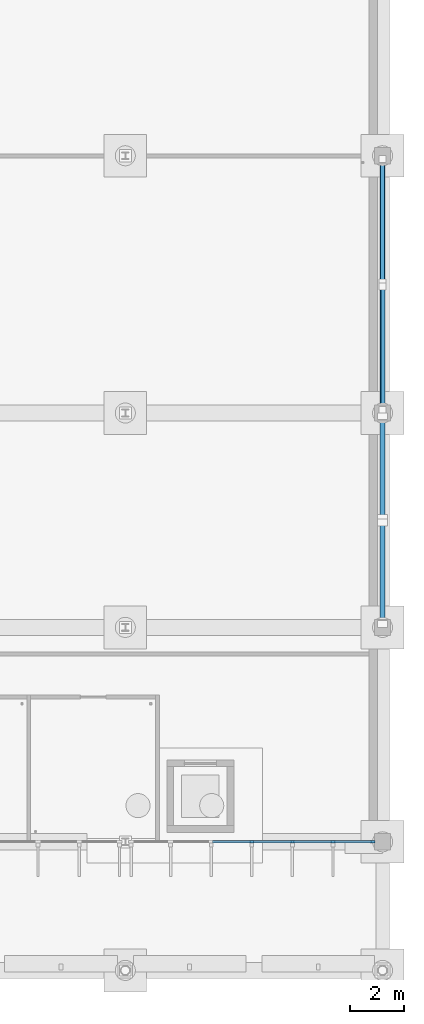
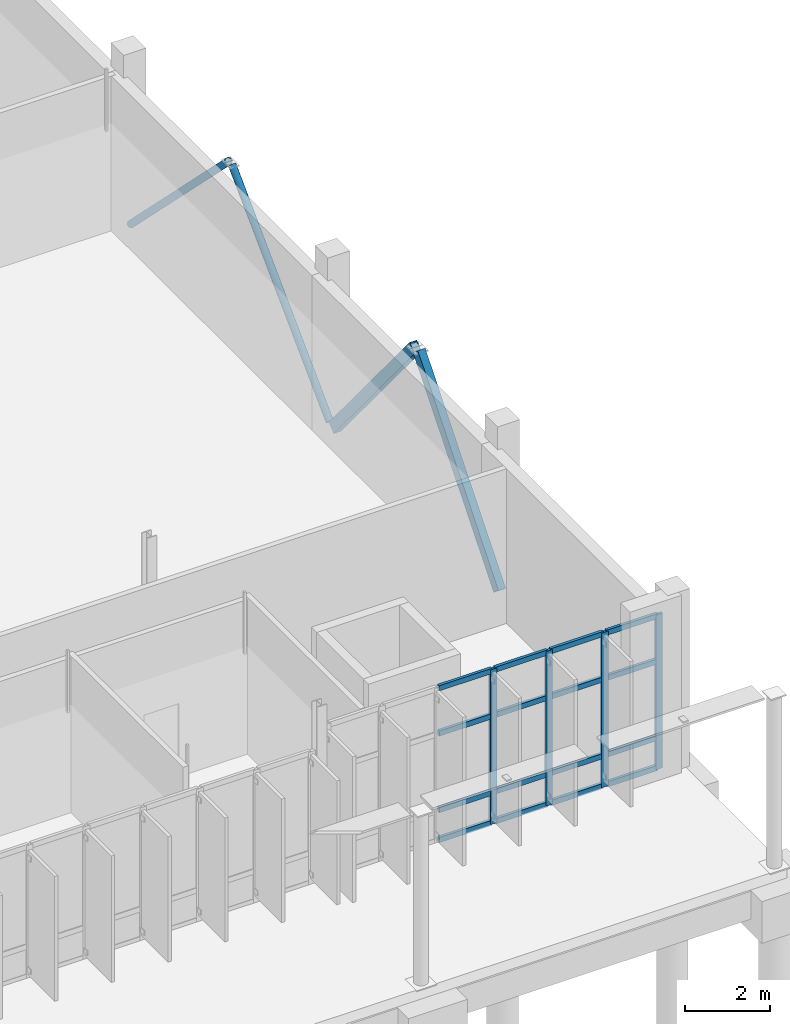
# One storey, part 38 of 111: 24 members, 1 element without a shape of its own.
"""IFC4 building model written with IfcOpenShell, lengths in metres."""

from ifc_helpers import new_model, si_unit, direction, frame, origin, origin_2d, place, context, subcontext, project, spatial, rectangle, hollow_rectangle, hollow_circle, extrude, material, material_profile, profile_set, type_object, element, aggregate, save


model = new_model("IFC4")

# Units and contexts
model_context = context("Model", 3, precision=1e-05, world=origin(), true_north=direction((0.0, 1.0)))
body_context = subcontext(model_context, "Body", "Model", "MODEL_VIEW")
ifc_project = project(units=[si_unit("LENGTHUNIT", "METRE"), si_unit("AREAUNIT", "SQUARE_METRE"), si_unit("VOLUMEUNIT", "CUBIC_METRE"), si_unit("PLANEANGLEUNIT", "RADIAN"), si_unit("MASSUNIT", "GRAM", prefix="KILO")], contexts=[model_context])

# Site, building, storey
site_placement = place(None, origin())
site = spatial("IfcSite", under=ifc_project, at=site_placement, CompositionType="ELEMENT")
building_placement = place(site_placement, origin())
building = spatial("IfcBuilding", under=site, at=building_placement, Name="Dunescarp Central Library", CompositionType="ELEMENT")
storey_placement = place(building_placement, origin())
storey = spatial("IfcBuildingStorey", under=building, at=storey_placement, Name="L00", CompositionType="ELEMENT", Elevation=0.0)

# Curtain wall, members
ifc_material_1 = material(Name="Marine-grade anodised aluminium 6063-T6", Category="aluminium")
curtain_wall_type = type_object("IfcCurtainWallType", Name="ARC-CW-STICK", PredefinedType="NOTDEFINED", material=ifc_material_1)
curtain_wall_placement = place(storey_placement, origin())
curtain_wall = element("IfcCurtainWall", 1, at=curtain_wall_placement, inside=storey, type_object=curtain_wall_type, Name="L00 curtain wall CW-V5-148", PredefinedType="NOTDEFINED")
ifc_material_profile_1 = material_profile(ifc_material_1, rectangle(XDim=0.080078125, YDim=0.179931640625, at=origin_2d()), Name="AL 80x180")
ifc_profile_set_1 = profile_set([ifc_material_profile_1], Name="Marine-grade anodised aluminium 6063-T6")
member_type_1 = type_object("IfcMemberType", Name="ARC-CWM-180", PredefinedType="MULLION", material=ifc_profile_set_1)
member_1_placement = place(storey_placement, frame((167.625, 4.800048828125, 0.0), z_axis=(0.0, 0.0, 1.0), x_axis=(0.0, -1.0, 0.0)))
member_1 = element("IfcMember", 2, at=member_1_placement, type_object=member_type_1, Name="CW-V5-148 mullion 1", PredefinedType="MULLION", context=body_context, shape_type="SweptSolid", body=[
    extrude(rectangle(XDim=0.080078125, YDim=0.179931640625, at=origin_2d()), origin(), (0.0, 0.0, 1.0), 4.44189453125),
])
member_2_placement = place(storey_placement, frame((166.14990234375, 4.800048828125, 0.0), z_axis=(0.0, 0.0, 1.0), x_axis=(0.0, -1.0, 0.0)))
member_2 = element("IfcMember", 3, at=member_2_placement, type_object=member_type_1, Name="CW-V5-148 mullion 2", PredefinedType="MULLION", context=body_context, shape_type="SweptSolid", body=[
    extrude(rectangle(XDim=0.080078125, YDim=0.179931640625, at=origin_2d()), origin(), (0.0, 0.0, 1.0), 4.44189453125),
])
member_3_placement = place(storey_placement, frame((164.635009765625, 4.800048828125, 0.0), z_axis=(0.0, 0.0, 1.0), x_axis=(0.0, -1.0, 0.0)))
member_3 = element("IfcMember", 4, at=member_3_placement, type_object=member_type_1, Name="CW-V5-148 mullion 3", PredefinedType="MULLION", context=body_context, shape_type="SweptSolid", body=[
    extrude(rectangle(XDim=0.080078125, YDim=0.179931640625, at=origin_2d()), origin(), (0.0, 0.0, 1.0), 4.44189453125),
])
member_4_placement = place(storey_placement, frame((163.1201171875, 4.800048828125, 0.0), z_axis=(0.0, 0.0, 1.0), x_axis=(0.0, -1.0, 0.0)))
member_4 = element("IfcMember", 5, at=member_4_placement, type_object=member_type_1, Name="CW-V5-148 mullion 4", PredefinedType="MULLION", context=body_context, shape_type="SweptSolid", body=[
    extrude(rectangle(XDim=0.080078125, YDim=0.179931640625, at=origin_2d()), origin(), (0.0, 0.0, 1.0), 4.44189453125),
])
ifc_material_profile_2 = material_profile(ifc_material_1, rectangle(XDim=0.080078125, YDim=0.14990234375, at=origin_2d()), Name="AL 80x150")
ifc_profile_set_2 = profile_set([ifc_material_profile_2], Name="Marine-grade anodised aluminium 6063-T6")
member_type_2 = type_object("IfcMemberType", Name="ARC-CWT-150", PredefinedType="USERDEFINED", material=ifc_profile_set_2)
member_5_placement = place(storey_placement, frame((167.5849609375, 4.800048828125, 0.0400390625), z_axis=(-1.0, 0.0, 0.0), x_axis=(0.0, -1.0, 0.0)))
member_5 = element("IfcMember", 6, at=member_5_placement, type_object=member_type_2, Name="CW-V5-148 transom 1.1", ObjectType="TRANSOM", PredefinedType="USERDEFINED", context=body_context, shape_type="SweptSolid", body=[
    extrude(rectangle(XDim=0.080078125, YDim=0.14990234375, at=origin_2d()), origin(), (0.0, 0.0, 1.0), 1.39501953125),
])
member_6_placement = place(storey_placement, frame((167.5849609375, 4.800048828125, 0.89990234375), z_axis=(-1.0, 0.0, 0.0), x_axis=(0.0, -1.0, 0.0)))
member_6 = element("IfcMember", 7, at=member_6_placement, type_object=member_type_2, Name="CW-V5-148 transom 1.2", ObjectType="TRANSOM", PredefinedType="USERDEFINED", context=body_context, shape_type="SweptSolid", body=[
    extrude(rectangle(XDim=0.080078125, YDim=0.14990234375, at=origin_2d()), origin(), (0.0, 0.0, 1.0), 1.39501953125),
])
member_7_placement = place(storey_placement, frame((167.5849609375, 4.800048828125, 3.10009765625), z_axis=(-1.0, 0.0, 0.0), x_axis=(0.0, -1.0, 0.0)))
member_7 = element("IfcMember", 8, at=member_7_placement, type_object=member_type_2, Name="CW-V5-148 transom 1.3", ObjectType="TRANSOM", PredefinedType="USERDEFINED", context=body_context, shape_type="SweptSolid", body=[
    extrude(rectangle(XDim=0.080078125, YDim=0.14990234375, at=origin_2d()), origin(), (0.0, 0.0, 1.0), 1.39501953125),
])
member_8_placement = place(storey_placement, frame((167.5849609375, 4.800048828125, 4.402099609375), z_axis=(-1.0, 0.0, 0.0), x_axis=(0.0, -1.0, 0.0)))
member_8 = element("IfcMember", 9, at=member_8_placement, type_object=member_type_2, Name="CW-V5-148 transom 1.4", ObjectType="TRANSOM", PredefinedType="USERDEFINED", context=body_context, shape_type="SweptSolid", body=[
    extrude(rectangle(XDim=0.080078125, YDim=0.14990234375, at=origin_2d()), origin(), (0.0, 0.0, 1.0), 1.39501953125),
])
member_9_placement = place(storey_placement, frame((166.110107421875, 4.800048828125, 0.0400390625), z_axis=(-1.0, 0.0, 0.0), x_axis=(0.0, -1.0, 0.0)))
member_9 = element("IfcMember", 10, at=member_9_placement, type_object=member_type_2, Name="CW-V5-148 transom 2.1", ObjectType="TRANSOM", PredefinedType="USERDEFINED", context=body_context, shape_type="SweptSolid", body=[
    extrude(rectangle(XDim=0.080078125, YDim=0.14990234375, at=origin_2d()), origin(), (0.0, 0.0, 1.0), 1.43505859375),
])
member_10_placement = place(storey_placement, frame((166.110107421875, 4.800048828125, 0.89990234375), z_axis=(-1.0, 0.0, 0.0), x_axis=(0.0, -1.0, 0.0)))
member_10 = element("IfcMember", 11, at=member_10_placement, type_object=member_type_2, Name="CW-V5-148 transom 2.2", ObjectType="TRANSOM", PredefinedType="USERDEFINED", context=body_context, shape_type="SweptSolid", body=[
    extrude(rectangle(XDim=0.080078125, YDim=0.14990234375, at=origin_2d()), origin(), (0.0, 0.0, 1.0), 1.43505859375),
])
member_11_placement = place(storey_placement, frame((166.110107421875, 4.800048828125, 3.10009765625), z_axis=(-1.0, 0.0, 0.0), x_axis=(0.0, -1.0, 0.0)))
member_11 = element("IfcMember", 12, at=member_11_placement, type_object=member_type_2, Name="CW-V5-148 transom 2.3", ObjectType="TRANSOM", PredefinedType="USERDEFINED", context=body_context, shape_type="SweptSolid", body=[
    extrude(rectangle(XDim=0.080078125, YDim=0.14990234375, at=origin_2d()), origin(), (0.0, 0.0, 1.0), 1.43505859375),
])
member_12_placement = place(storey_placement, frame((166.110107421875, 4.800048828125, 4.402099609375), z_axis=(-1.0, 0.0, 0.0), x_axis=(0.0, -1.0, 0.0)))
member_12 = element("IfcMember", 13, at=member_12_placement, type_object=member_type_2, Name="CW-V5-148 transom 2.4", ObjectType="TRANSOM", PredefinedType="USERDEFINED", context=body_context, shape_type="SweptSolid", body=[
    extrude(rectangle(XDim=0.080078125, YDim=0.14990234375, at=origin_2d()), origin(), (0.0, 0.0, 1.0), 1.43505859375),
])
member_13_placement = place(storey_placement, frame((164.594970703125, 4.800048828125, 0.0400390625), z_axis=(-1.0, 0.0, 0.0), x_axis=(0.0, -1.0, 0.0)))
member_13 = element("IfcMember", 14, at=member_13_placement, type_object=member_type_2, Name="CW-V5-148 transom 3.1", ObjectType="TRANSOM", PredefinedType="USERDEFINED", context=body_context, shape_type="SweptSolid", body=[
    extrude(rectangle(XDim=0.080078125, YDim=0.14990234375, at=origin_2d()), origin(), (0.0, 0.0, 1.0), 1.43505859375),
])
member_14_placement = place(storey_placement, frame((164.594970703125, 4.800048828125, 0.89990234375), z_axis=(-1.0, 0.0, 0.0), x_axis=(0.0, -1.0, 0.0)))
member_14 = element("IfcMember", 15, at=member_14_placement, type_object=member_type_2, Name="CW-V5-148 transom 3.2", ObjectType="TRANSOM", PredefinedType="USERDEFINED", context=body_context, shape_type="SweptSolid", body=[
    extrude(rectangle(XDim=0.080078125, YDim=0.14990234375, at=origin_2d()), origin(), (0.0, 0.0, 1.0), 1.43505859375),
])
member_15_placement = place(storey_placement, frame((164.594970703125, 4.800048828125, 3.10009765625), z_axis=(-1.0, 0.0, 0.0), x_axis=(0.0, -1.0, 0.0)))
member_15 = element("IfcMember", 16, at=member_15_placement, type_object=member_type_2, Name="CW-V5-148 transom 3.3", ObjectType="TRANSOM", PredefinedType="USERDEFINED", context=body_context, shape_type="SweptSolid", body=[
    extrude(rectangle(XDim=0.080078125, YDim=0.14990234375, at=origin_2d()), origin(), (0.0, 0.0, 1.0), 1.43505859375),
])
member_16_placement = place(storey_placement, frame((164.594970703125, 4.800048828125, 4.402099609375), z_axis=(-1.0, 0.0, 0.0), x_axis=(0.0, -1.0, 0.0)))
member_16 = element("IfcMember", 17, at=member_16_placement, type_object=member_type_2, Name="CW-V5-148 transom 3.4", ObjectType="TRANSOM", PredefinedType="USERDEFINED", context=body_context, shape_type="SweptSolid", body=[
    extrude(rectangle(XDim=0.080078125, YDim=0.14990234375, at=origin_2d()), origin(), (0.0, 0.0, 1.0), 1.43505859375),
])
member_17_placement = place(storey_placement, frame((163.080078125, 4.800048828125, 0.0400390625), z_axis=(-1.0, 0.0, 0.0), x_axis=(0.0, -1.0, 0.0)))
member_17 = element("IfcMember", 18, at=member_17_placement, type_object=member_type_2, Name="CW-V5-148 transom 4.1", ObjectType="TRANSOM", PredefinedType="USERDEFINED", context=body_context, shape_type="SweptSolid", body=[
    extrude(rectangle(XDim=0.080078125, YDim=0.14990234375, at=origin_2d()), origin(), (0.0, 0.0, 1.0), 1.43505859375),
])
member_18_placement = place(storey_placement, frame((163.080078125, 4.800048828125, 0.89990234375), z_axis=(-1.0, 0.0, 0.0), x_axis=(0.0, -1.0, 0.0)))
member_18 = element("IfcMember", 19, at=member_18_placement, type_object=member_type_2, Name="CW-V5-148 transom 4.2", ObjectType="TRANSOM", PredefinedType="USERDEFINED", context=body_context, shape_type="SweptSolid", body=[
    extrude(rectangle(XDim=0.080078125, YDim=0.14990234375, at=origin_2d()), origin(), (0.0, 0.0, 1.0), 1.43505859375),
])
member_19_placement = place(storey_placement, frame((163.080078125, 4.800048828125, 3.10009765625), z_axis=(-1.0, 0.0, 0.0), x_axis=(0.0, -1.0, 0.0)))
member_19 = element("IfcMember", 20, at=member_19_placement, type_object=member_type_2, Name="CW-V5-148 transom 4.3", ObjectType="TRANSOM", PredefinedType="USERDEFINED", context=body_context, shape_type="SweptSolid", body=[
    extrude(rectangle(XDim=0.080078125, YDim=0.14990234375, at=origin_2d()), origin(), (0.0, 0.0, 1.0), 1.43505859375),
])
member_20_placement = place(storey_placement, frame((163.080078125, 4.800048828125, 4.402099609375), z_axis=(-1.0, 0.0, 0.0), x_axis=(0.0, -1.0, 0.0)))
member_20 = element("IfcMember", 21, at=member_20_placement, type_object=member_type_2, Name="CW-V5-148 transom 4.4", ObjectType="TRANSOM", PredefinedType="USERDEFINED", context=body_context, shape_type="SweptSolid", body=[
    extrude(rectangle(XDim=0.080078125, YDim=0.14990234375, at=origin_2d()), origin(), (0.0, 0.0, 1.0), 1.43505859375),
])
aggregate(curtain_wall, [member_1, member_2, member_3, member_4, member_5, member_6, member_7, member_8, member_9, member_10, member_11, member_12, member_13, member_14, member_15, member_16, member_17, member_18, member_19, member_20])

# Members
ifc_material_2 = material(Name="Steel S355J0", Category="steel")
ifc_material_profile_3 = material_profile(ifc_material_2, hollow_circle(Radius=0.096923828125, WallThickness=0.010009765625, at=origin_2d()), Name="CHS 193.7x10")
ifc_profile_set_3 = profile_set([ifc_material_profile_3], Name="Steel S355J0")
member_type_3 = type_object("IfcMemberType", Name="STR-BR-193", PredefinedType="BRACE", material=ifc_profile_set_3)
for number, where, z_axis, x_axis, name in (
    (22, (168.0, 20.919921875, 0.044921875), (0.0, 0.707500937263, 0.706712405277), (-1.0, 0.0, 0.0), "L00 concentric brace BR-L00-063"),
    (23, (168.0, 30.280029296875, 0.044921875), (0.0, -0.707500937263, 0.706712405277), (1.0, 0.0, 0.0), "L00 concentric brace BR-L00-064"),
):
    element("IfcMember", number, at=place(storey_placement, frame(where, z_axis=z_axis, x_axis=x_axis)), inside=storey, type_object=member_type_3, Name=name, PredefinedType="BRACE", context=body_context, shape_type="SweptSolid", body=[
        extrude(hollow_circle(Radius=0.096923828125, WallThickness=0.010009765625, at=origin_2d()), origin(), (0.0, 0.0, 1.0), 6.501953125),
    ])
ifc_material_profile_4 = material_profile(ifc_material_2, hollow_rectangle(XDim=0.199951171875, YDim=0.300048828125, WallThickness=0.010009765625, at=origin_2d()), Name="RHS 300x200x10")
ifc_profile_set_4 = profile_set([ifc_material_profile_4], Name="Steel S355J0")
member_type_4 = type_object("IfcMemberType", Name="STR-BR-RHS300", PredefinedType="BRACE", material=ifc_profile_set_4)
for number, where, z_axis, x_axis, name in (
    (24, (168.0, 12.919921875, 0.044921875), (0.0, 0.637300366475, 0.77061549614), (-1.0, 0.0, 0.0), "L00 concentric brace BR-L00-059"),
    (25, (168.0, 20.679931640625, 0.044921875), (0.0, -0.637300366475, 0.77061549614), (1.0, 0.0, 0.0), "L00 concentric brace BR-L00-060"),
):
    element("IfcMember", number, at=place(storey_placement, frame(where, z_axis=z_axis, x_axis=x_axis)), inside=storey, type_object=member_type_4, Name=name, PredefinedType="BRACE", context=body_context, shape_type="SweptSolid", body=[
        extrude(hollow_rectangle(XDim=0.199951171875, YDim=0.300048828125, WallThickness=0.010009765625, at=origin_2d()), origin(), (0.0, 0.0, 1.0), 5.962646484375),
    ])

save(model, "model.ifc")
